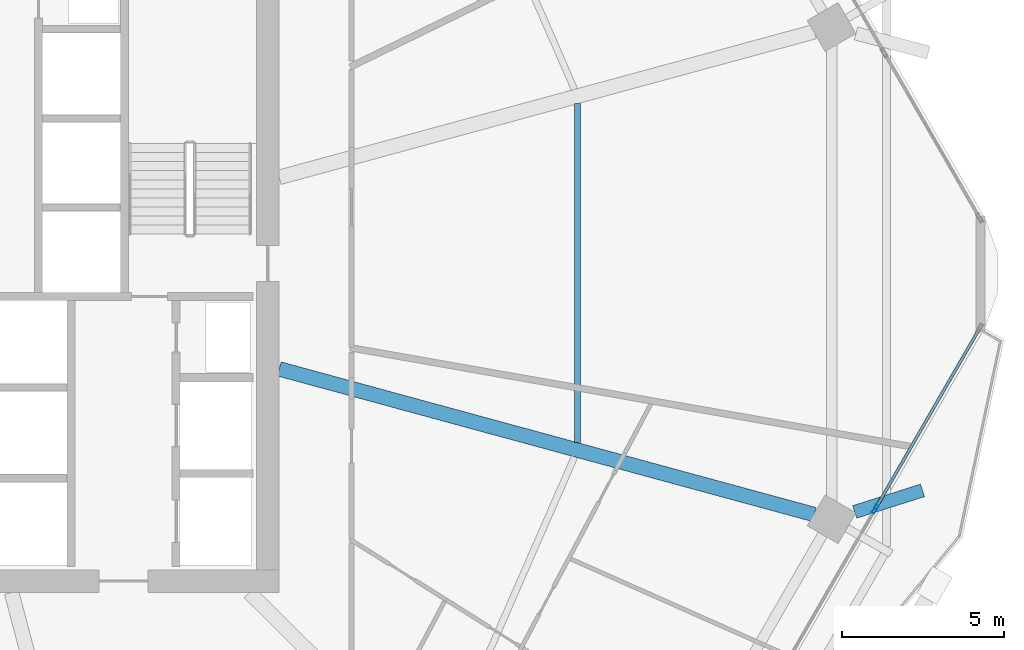
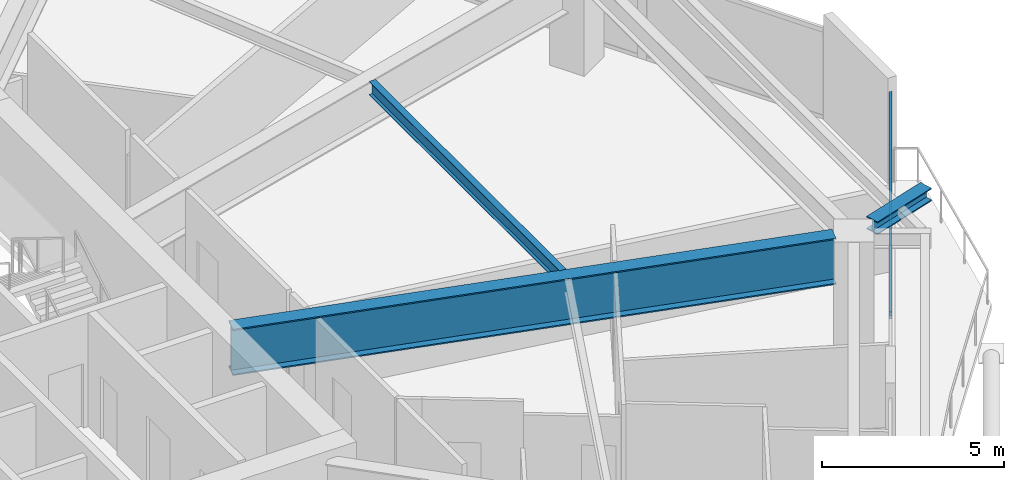
# One storey, part 12 of 33: 3 beams, 3 members, 1 element without a shape of its own.
"""IFC4 building model written with IfcOpenShell, lengths in metres."""

from ifc_helpers import new_model, si_unit, direction, frame, origin, origin_2d, place, context, subcontext, project, spatial, hollow_rectangle, i_section, extrude, material, material_profile, profile_set, type_object, element, aggregate, save


model = new_model("IFC4")

# Units and contexts
model_context = context("Model", 3, precision=1e-05, world=origin(), true_north=direction((0.0, 1.0)))
body_context = subcontext(model_context, "Body", "Model", "MODEL_VIEW")
ifc_project = project(units=[si_unit("LENGTHUNIT", "METRE"), si_unit("AREAUNIT", "SQUARE_METRE"), si_unit("VOLUMEUNIT", "CUBIC_METRE"), si_unit("PLANEANGLEUNIT", "RADIAN"), si_unit("MASSUNIT", "GRAM", prefix="KILO")], contexts=[model_context])

# Site, building, storey
site_placement = place(None, origin())
site = spatial("IfcSite", under=ifc_project, at=site_placement, CompositionType="ELEMENT")
building_placement = place(site_placement, origin())
building = spatial("IfcBuilding", under=site, at=building_placement, Name="Zuhravey Tower", CompositionType="ELEMENT")
storey_placement = place(building_placement, frame((0.0, 0.0, 141.800048828125)))
storey = spatial("IfcBuildingStorey", under=building, at=storey_placement, Name="L35", CompositionType="ELEMENT", Elevation=141.800048828125)

# Curtain wall, members
ifc_material_1 = material(Name="Thermally broken anodised aluminium", Category="aluminium")
curtain_wall_type = type_object("IfcCurtainWallType", Name="Zone 1-2 Residential Curtain Wall CW3", PredefinedType="NOTDEFINED", material=ifc_material_1)
curtain_wall_placement = place(storey_placement, origin())
curtain_wall = element("IfcCurtainWall", 1, at=curtain_wall_placement, inside=storey, type_object=curtain_wall_type, Name="L35 CW3 CW-L35-F6-1", PredefinedType="NOTDEFINED")
ifc_material_2 = material(Name="Anodised aluminium", Category="aluminium")
ifc_material_profile_1 = material_profile(ifc_material_2, hollow_rectangle(XDim=0.090087890625, YDim=0.284912109375, WallThickness=0.0048828125, at=origin_2d()), Name="ALU-RHS-90x285x5")
ifc_profile_set_1 = profile_set([ifc_material_profile_1], Name="Anodised aluminium")
member_type_1 = type_object("IfcMemberType", Name="Curtain-Wall Mullion 90x180", PredefinedType="MULLION", material=ifc_profile_set_1)
member_1_placement = place(storey_placement, frame((65.2353515625, 24.72021484375, 0.0), z_axis=(0.0, 0.0, 1.0), x_axis=(0.866026792339, -0.499997594945, 0.0)))
member_1 = element("IfcMember", 2, at=member_1_placement, type_object=member_type_1, Name="CW3 mullion 2", PredefinedType="MULLION", context=body_context, shape_type="SweptSolid", body=[
    extrude(hollow_rectangle(XDim=0.090087890625, YDim=0.284912109375, WallThickness=0.0048828125, at=origin_2d()), origin(), (0.0, 0.0, 1.0), 3.02001953125),
])
ifc_material_profile_2 = material_profile(ifc_material_2, hollow_rectangle(XDim=0.090087890625, YDim=0.14990234375, WallThickness=0.0048828125, at=origin_2d()), Name="ALU-RHS-90x150x5")
ifc_profile_set_2 = profile_set([ifc_material_profile_2], Name="Anodised aluminium")
member_type_2 = type_object("IfcMemberType", Name="Curtain-Wall Transom 90x150", PredefinedType="USERDEFINED", material=ifc_profile_set_2)
member_2_placement = place(storey_placement, frame((68.43359375, 30.259521484375, 0.044921875), z_axis=(-0.500025248567, -0.866010826027, 0.0), x_axis=(0.866010826027, -0.500025248567, 0.0)))
member_2 = element("IfcMember", 3, at=member_2_placement, type_object=member_type_2, Name="CW3 transom 1.1", ObjectType="TRANSOM", PredefinedType="USERDEFINED", context=body_context, shape_type="SweptSolid", body=[
    extrude(hollow_rectangle(XDim=0.090087890625, YDim=0.14990234375, WallThickness=0.0048828125, at=origin_2d()), origin(), (0.0, 0.0, 1.0), 6.351318359375),
])
member_3_placement = place(storey_placement, frame((68.43359375, 30.259521484375, 2.974853515625), z_axis=(-0.500025248567, -0.866010826027, 0.0), x_axis=(0.866010826027, -0.500025248567, 0.0)))
member_3 = element("IfcMember", 4, at=member_3_placement, type_object=member_type_2, Name="CW3 transom 1.2", ObjectType="TRANSOM", PredefinedType="USERDEFINED", context=body_context, shape_type="SweptSolid", body=[
    extrude(hollow_rectangle(XDim=0.090087890625, YDim=0.14990234375, WallThickness=0.0048828125, at=origin_2d()), origin(), (0.0, 0.0, 1.0), 6.351318359375),
])
aggregate(curtain_wall, [member_1, member_2, member_3])

# Beams
ifc_material_3 = material(Name="Steel SM460", Category="steel")
ifc_material_profile_3 = material_profile(ifc_material_3, i_section(OverallWidth=0.406982421875, OverallDepth=0.427978515625, WebThickness=0.02001953125, FlangeThickness=0.034912109375, at=origin_2d()), Name="H-428x407x20x35")
ifc_profile_set_3 = profile_set([ifc_material_profile_3], Name="Steel SM460")
beam_type_1 = type_object("IfcBeamType", Name="Exoskeleton Node Tie Beam H428x407", PredefinedType="BEAM", material=ifc_profile_set_3)
beam_1_placement = place(storey_placement, frame((64.602783203125, 24.634765625, 3.305908203125), z_axis=(0.953124267145, 0.302579132427, 0.0), x_axis=(-0.302579132427, 0.953124267145, 0.0)))
element("IfcBeam", 5, at=beam_1_placement, inside=storey, type_object=beam_type_1, Name="L35 Exoskeleton Node Tie NT1-12", PredefinedType="BEAM", context=body_context, shape_type="SweptSolid", body=[
    extrude(i_section(OverallWidth=0.406982421875, OverallDepth=0.427978515625, WebThickness=0.02001953125, FlangeThickness=0.034912109375, at=origin_2d()), origin(), (0.0, 0.0, 1.0), 2.194580078125),
])
ifc_material_profile_4 = material_profile(ifc_material_3, i_section(OverallWidth=0.449951171875, OverallDepth=1.550048828125, WebThickness=0.02587890625, FlangeThickness=0.0419921875, at=origin_2d()), Name="H-1550x450x26x42")
ifc_profile_set_4 = profile_set([ifc_material_profile_4], Name="Steel SM460")
beam_type_2 = type_object("IfcBeamType", Name="Heavy Setback Transfer Girder H1550x450", PredefinedType="BEAM", material=ifc_profile_set_4)
beam_2_placement = place(storey_placement, frame((46.85302734375, 29.045654296875, 2.744873046875), z_axis=(0.964893166225, -0.262642680791, 0.0), x_axis=(0.262642680791, 0.964893166225, 0.0)))
element("IfcBeam", 6, at=beam_2_placement, inside=storey, type_object=beam_type_2, Name="L35 TG3 BM-L35-RAD-12", PredefinedType="BEAM", context=body_context, shape_type="SweptSolid", body=[
    extrude(i_section(OverallWidth=0.449951171875, OverallDepth=1.550048828125, WebThickness=0.02587890625, FlangeThickness=0.0419921875, at=origin_2d()), origin(), (0.0, 0.0, 1.0), 17.102783203125),
])
ifc_material_4 = material(Name="Steel SM355", Category="steel")
ifc_material_profile_5 = material_profile(ifc_material_4, i_section(OverallWidth=0.199951171875, OverallDepth=0.449951171875, WebThickness=0.009033203125, FlangeThickness=0.013916015625, at=origin_2d()), Name="H-450x200x9x14")
ifc_profile_set_5 = profile_set([ifc_material_profile_5], Name="Steel SM355")
beam_type_3 = type_object("IfcBeamType", Name="Secondary Floor Joist H450x200", PredefinedType="JOIST", material=ifc_profile_set_5)
beam_3_placement = place(storey_placement, frame((56.052490234375, 26.7705078125, 3.294921875), z_axis=(0.0, 1.0, 0.0), x_axis=(-1.0, 0.0, 0.0)))
element("IfcBeam", 7, at=beam_3_placement, inside=storey, type_object=beam_type_3, Name="L35 SJ1 BM-L35-SJ-12-1", PredefinedType="JOIST", context=body_context, shape_type="SweptSolid", body=[
    extrude(i_section(OverallWidth=0.199951171875, OverallDepth=0.449951171875, WebThickness=0.009033203125, FlangeThickness=0.013916015625, at=origin_2d()), origin(), (0.0, 0.0, 1.0), 10.458984375),
])

save(model, "model.ifc")
